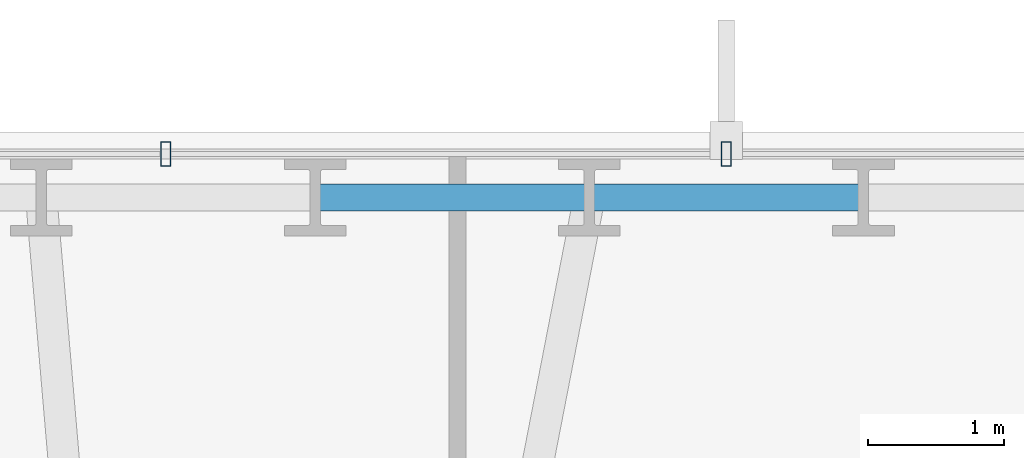
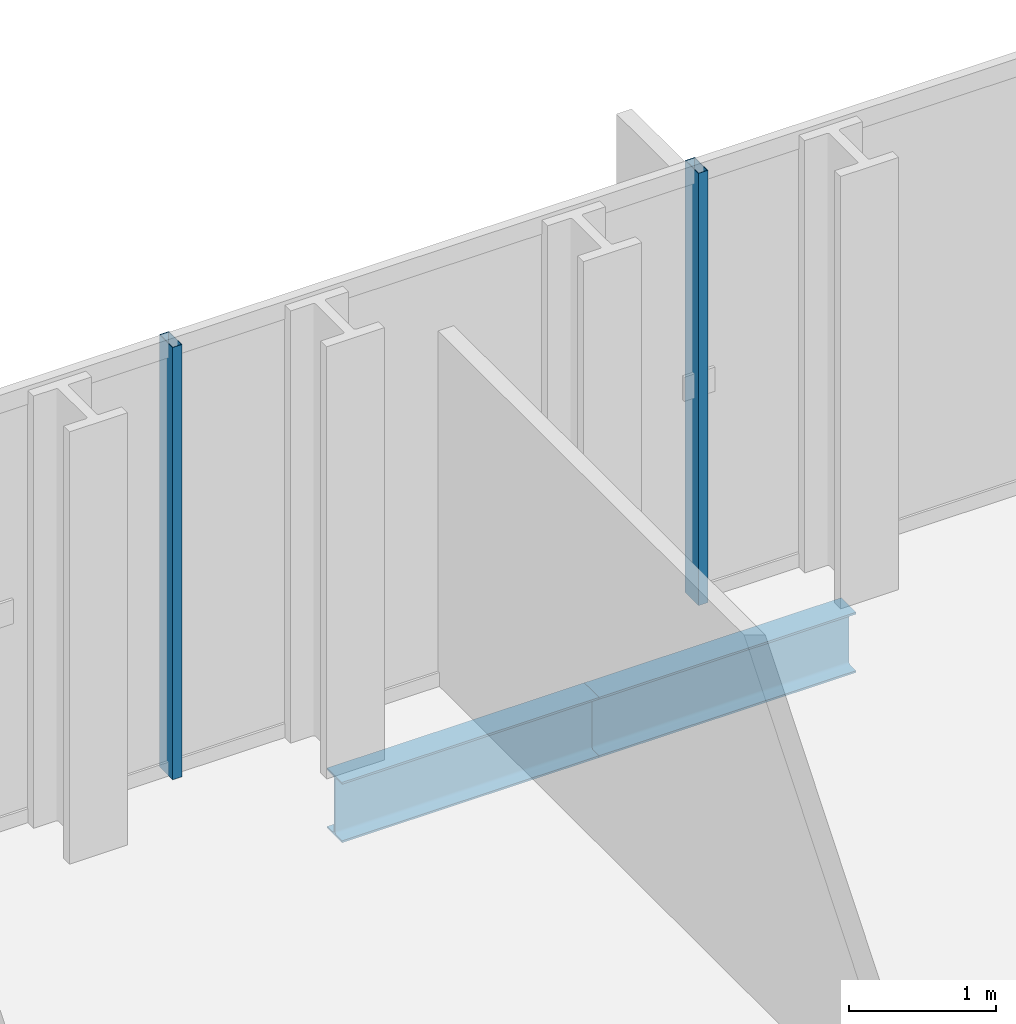
# One storey, part 22 of 33: 2 beams, 2 members, 1 element without a shape of its own.
"""IFC4 building model written with IfcOpenShell, lengths in metres."""

from ifc_helpers import new_model, si_unit, direction, frame, origin, origin_2d, place, context, subcontext, project, spatial, hollow_rectangle, i_section, extrude, material, layer, layer_set, material_profile, profile_set, type_object, element, aggregate, save


model = new_model("IFC4")

# Units and contexts
model_context = context("Model", 3, precision=1e-05, world=origin(), true_north=direction((0.0, 1.0)))
body_context = subcontext(model_context, "Body", "Model", "MODEL_VIEW")
ifc_project = project(units=[si_unit("LENGTHUNIT", "METRE"), si_unit("AREAUNIT", "SQUARE_METRE"), si_unit("VOLUMEUNIT", "CUBIC_METRE"), si_unit("PLANEANGLEUNIT", "RADIAN"), si_unit("MASSUNIT", "GRAM", prefix="KILO")], contexts=[model_context])

# Site, building, storey
site_placement = place(None, origin())
site = spatial("IfcSite", under=ifc_project, at=site_placement, CompositionType="ELEMENT")
building_placement = place(site_placement, origin())
building = spatial("IfcBuilding", under=site, at=building_placement, Name="Ndaravel Arena Tower", CompositionType="ELEMENT")
storey_placement = place(building_placement, frame((0.0, 0.0, 36.0)))
storey = spatial("IfcBuildingStorey", under=building, at=storey_placement, Name="L06", CompositionType="ELEMENT", Elevation=36.0)

# Beams
ifc_material_1 = material(Name="Steel S355", Category="steel")
ifc_material_profile_1 = material_profile(ifc_material_1, i_section(OverallWidth=0.199951171875, OverallDepth=0.5, WebThickness=0.01025390625, FlangeThickness=0.01611328125, FilletRadius=0.02099609375, at=origin_2d()), Name="IPE 500")
ifc_profile_set_1 = profile_set([ifc_material_profile_1], Name="Steel S355")
beam_type = type_object("IfcBeamType", Name="BM-SPAN-IPE500", PredefinedType="SPANDREL", material=ifc_profile_set_1)
beam_1_placement = place(storey_placement, frame((43.0068359375, 45.590087890625, -0.469970703125), z_axis=(-1.0, 0.0, 0.0), x_axis=(0.0, -1.0, 0.0)))
element("IfcBeam", 1, at=beam_1_placement, inside=storey, type_object=beam_type, Name="L06 Perimeter Spandrel Beam SP-14", PredefinedType="SPANDREL", context=body_context, shape_type="SweptSolid", body=[
    extrude(i_section(OverallWidth=0.199951171875, OverallDepth=0.5, WebThickness=0.01025390625, FlangeThickness=0.01611328125, FilletRadius=0.02099609375, at=origin_2d()), origin(), (0.0, 0.0, 1.0), 2.013671875),
])
beam_2_placement = place(storey_placement, frame((40.9931640625, 45.590087890625, -0.469970703125), z_axis=(-1.0, 0.0, 0.0), x_axis=(0.0, -1.0, 0.0)))
element("IfcBeam", 2, at=beam_2_placement, inside=storey, type_object=beam_type, Name="L06 Perimeter Spandrel Beam SP-15", PredefinedType="SPANDREL", context=body_context, shape_type="SweptSolid", body=[
    extrude(i_section(OverallWidth=0.199951171875, OverallDepth=0.5, WebThickness=0.01025390625, FlangeThickness=0.01611328125, FilletRadius=0.02099609375, at=origin_2d()), origin(), (0.0, 0.0, 1.0), 2.013427734375),
])

# Curtain wall, members
ifc_material_2 = material(Name="Aluminium", Category="aluminium")
ifc_layer = layer(ifc_material_2, 0.179931640625)
ifc_layer_set = layer_set([ifc_layer], Name="Aluminium")
curtain_wall_type = type_object("IfcCurtainWallType", Name="CW-SYS-01", PredefinedType="NOTDEFINED", material=ifc_layer_set)
curtain_wall_placement = place(storey_placement, origin())
curtain_wall = element("IfcCurtainWall", 3, at=curtain_wall_placement, inside=storey, type_object=curtain_wall_type, Name="L06 Faceted Crystal Curtain Wall CW-L06-E04", PredefinedType="NOTDEFINED")
ifc_material_3 = material(Name="Aluminium", Category="aluminium")
ifc_material_profile_2 = material_profile(ifc_material_3, hollow_rectangle(XDim=0.074951171875, YDim=0.179931640625, WallThickness=0.00390625, at=origin_2d()), Name="CW MULLION 75x180x4")
ifc_profile_set_2 = profile_set([ifc_material_profile_2], Name="Aluminium")
member_type = type_object("IfcMemberType", Name="MEM-CW-MUL180", PredefinedType="MULLION", material=ifc_profile_set_2)
member_1_placement = place(storey_placement, frame((42.0, 45.909912109375, 0.0), z_axis=(0.0, 0.0, 1.0), x_axis=(-1.0, 0.0, 0.0)))
member_1 = element("IfcMember", 4, at=member_1_placement, type_object=member_type, Name="CW-L06-E04 Mullion 02", PredefinedType="MULLION", context=body_context, shape_type="SweptSolid", body=[
    extrude(hollow_rectangle(XDim=0.074951171875, YDim=0.179931640625, WallThickness=0.00390625, at=origin_2d()), origin(), (0.0, 0.0, 1.0), 3.580078125),
])
member_2_placement = place(storey_placement, frame((37.880615234375, 45.909912109375, 0.0), z_axis=(0.0, 0.0, 1.0), x_axis=(-1.0, 0.0, 0.0)))
member_2 = element("IfcMember", 5, at=member_2_placement, type_object=member_type, Name="CW-L06-E04 Mullion 03", PredefinedType="MULLION", context=body_context, shape_type="SweptSolid", body=[
    extrude(hollow_rectangle(XDim=0.074951171875, YDim=0.179931640625, WallThickness=0.00390625, at=origin_2d()), origin(), (0.0, 0.0, 1.0), 3.580078125),
])
aggregate(curtain_wall, [member_1, member_2])

save(model, "model.ifc")
